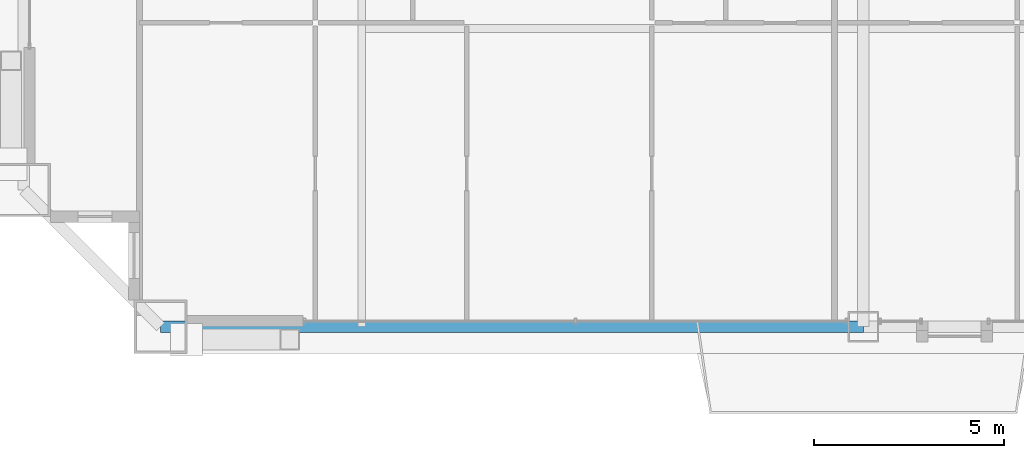
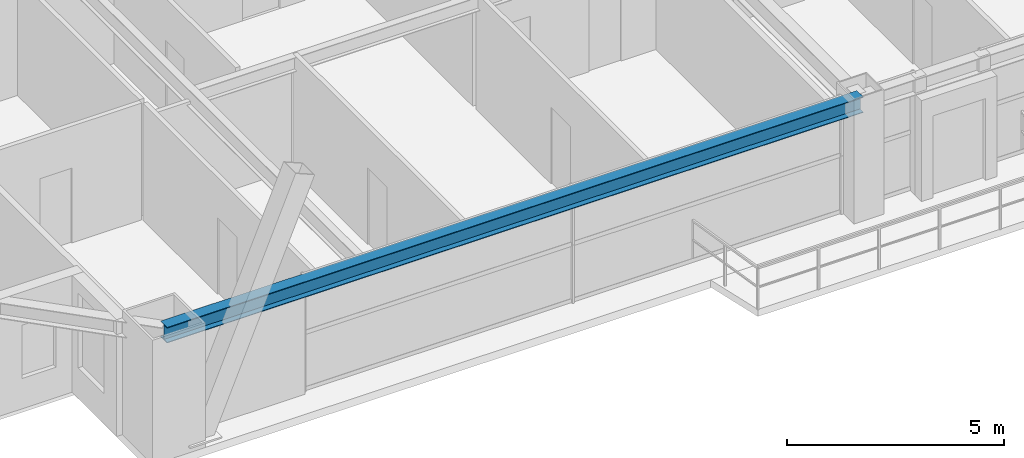
# One storey, part 5 of 45: 1 beam.
"""IFC4 building model written with IfcOpenShell, lengths in metres."""

from ifc_helpers import new_model, si_unit, direction, frame, origin, origin_2d, place, context, subcontext, project, spatial, i_section, extrude, source, transform, mapped, material, material_profile, profile_set, type_object, element, save


model = new_model("IFC4")

# Units and contexts
model_context = context("Model", 3, precision=1e-05, world=origin(), true_north=direction((0.0, 1.0)))
body_context = subcontext(model_context, "Body", "Model", "MODEL_VIEW")
ifc_project = project(units=[si_unit("LENGTHUNIT", "METRE"), si_unit("AREAUNIT", "SQUARE_METRE"), si_unit("VOLUMEUNIT", "CUBIC_METRE"), si_unit("PLANEANGLEUNIT", "RADIAN"), si_unit("MASSUNIT", "GRAM", prefix="KILO"), si_unit("THERMODYNAMICTEMPERATUREUNIT", "KELVIN"), si_unit("POWERUNIT", "WATT")], contexts=[model_context])

# Site, building, storey
site_placement = place(None, origin())
site = spatial("IfcSite", under=ifc_project, at=site_placement, CompositionType="ELEMENT")
building_placement = place(site_placement, origin())
building = spatial("IfcBuilding", under=site, at=building_placement, Name="Yuzanri Waterfront Tower", CompositionType="ELEMENT")
storey_placement = place(building_placement, frame((0.0, 0.0, 191.5)))
storey = spatial("IfcBuildingStorey", under=building, at=storey_placement, Name="L50", CompositionType="ELEMENT", Elevation=191.5)

# Beam
ifc_material = material(Name="Steel Q355B", Category="steel")
ifc_material_profile = material_profile(ifc_material, i_section(OverallWidth=0.300048828125, OverallDepth=0.43994140625, WebThickness=0.010986328125, FlangeThickness=0.01806640625, at=origin_2d()), Name="HM 440x300x11x18")
ifc_profile_set = profile_set([ifc_material_profile], Name="Steel Q355B")
beam_type = type_object("IfcBeamType", Name="Perimeter Spandrel Q355B HM 440x300", PredefinedType="SPANDREL", material=ifc_profile_set)
shared_shape = source(origin(), body_context, "Body", "SweptSolid", [
    extrude(i_section(OverallWidth=0.300048828125, OverallDepth=0.43994140625, WebThickness=0.010986328125, FlangeThickness=0.01806640625, at=origin_2d()), origin(), (0.0, 0.0, 1.0), 18.5),
])
beam_placement = place(storey_placement, frame((18.5, 3.699951171875, 3.06005859375), z_axis=(1.0, 0.0, 0.0), x_axis=(0.0, 1.0, 0.0)))
element("IfcBeam", 1, at=beam_placement, inside=storey, type_object=beam_type, Name="L50 Perimeter Spandrel S1-S2", PredefinedType="SPANDREL", context=body_context, shape_type="MappedRepresentation", body=[
    mapped(shared_shape, transform((0.0, 0.0, 0.0), scale=1.0)),
])

save(model, "model.ifc")
